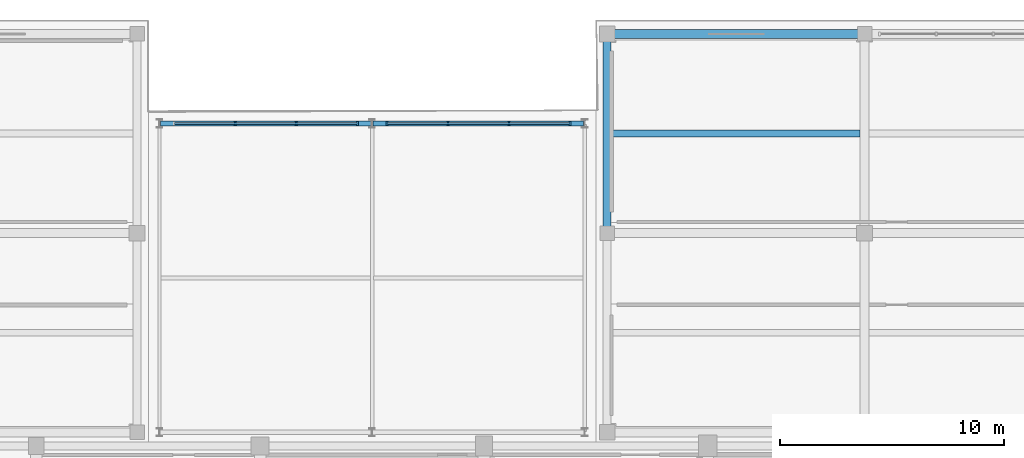
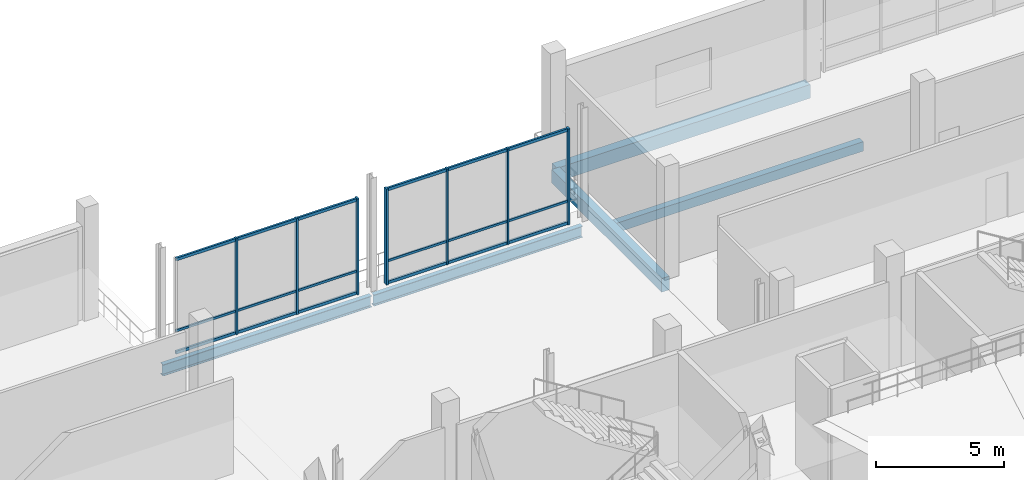
# One storey, part 54 of 127: 13 members, 5 beams, 2 elements without a shape of their own.
"""IFC4 building model written with IfcOpenShell, lengths in metres."""

import ifcopenshell
import ifcopenshell.guid

model = None  # the IFC model being written
_history = None  # IfcOwnerHistory: only IFC2X3 demands one
_inside = {}  # id of a spatial element -> (the spatial element, [elements in it])
_under = {}  # id of a project, library or spatial element -> (it, [spatial elements below it])
_declared = {}  # id of a project -> (the project, [libraries it declares])
_typed = {}  # id of a type object -> (the type object, [elements of that type])
_made_of = {}  # id of a material, layer set ... -> (it, [elements and type objects made of it])


def new_model(schema):
    """Start an empty IFC model of exactly this schema.

    Asked for "IFC4X3", IfcOpenShell would pick the latest addendum, in which some entities
    have other attributes; the version numbers below select the first issue.
    IFC2X3 requires an IfcOwnerHistory on every rooted entity: one is made here for all.
    """
    global model, _history
    if schema == "IFC4X3":
        model = ifcopenshell.file(schema_version=(4, 3, 0, 0))
    else:
        model = ifcopenshell.file(schema=schema)
    _inside.clear()
    _under.clear()
    _declared.clear()
    _typed.clear()
    _made_of.clear()
    _history = None
    if model.schema == "IFC2X3":
        org = make("IfcOrganization", Name="unknown")
        user = make(
            "IfcPersonAndOrganization",
            ThePerson=make("IfcPerson", FamilyName="unknown"),
            TheOrganization=org,
        )
        app = make(
            "IfcApplication",
            ApplicationDeveloper=org,
            Version="unknown",
            ApplicationFullName="unknown",
            ApplicationIdentifier="unknown",
        )
        _history = make(
            "IfcOwnerHistory",
            OwningUser=user,
            OwningApplication=app,
            ChangeAction="ADDED",
            CreationDate=0,
        )
    return model


def make(cls, **values):
    """One entity of the class cls with the attributes given. An attribute that is None is left unset."""
    return model.create_entity(
        cls, **{name: value for name, value in values.items() if value is not None}
    )


def rooted(cls, **values):
    """An entity with a GlobalId (a new one), such as an element, a storey or a relation."""
    return make(cls, GlobalId=ifcopenshell.guid.new(), OwnerHistory=_history, **values)


def si_unit(unit_type, name, prefix=None):
    """IfcSIUnit, for example si_unit("LENGTHUNIT", "METRE", prefix="MILLI")."""
    return make("IfcSIUnit", UnitType=unit_type, Prefix=prefix, Name=name)


def assignment(units):
    """IfcUnitAssignment: the units of a project."""
    return None if units is None else make("IfcUnitAssignment", Units=units)


def point(xyz):
    """IfcCartesianPoint."""
    return None if xyz is None else make("IfcCartesianPoint", Coordinates=xyz)


def direction(xyz):
    """IfcDirection."""
    return None if xyz is None else make("IfcDirection", DirectionRatios=xyz)


def frame(location, z_axis=None, x_axis=None):
    """IfcAxis2Placement3D, a coordinate frame: its origin and axes. An axis left out is left unset."""
    return make(
        "IfcAxis2Placement3D",
        Location=point(location),
        Axis=direction(z_axis),
        RefDirection=direction(x_axis),
    )


def frame_2d(location, x_axis=None):
    """IfcAxis2Placement2D, a coordinate frame in the plane: its origin and x axis."""
    return make(
        "IfcAxis2Placement2D", Location=point(location), RefDirection=direction(x_axis)
    )


def origin():
    """The frame at (0, 0, 0) with its axes left unset."""
    return frame((0.0, 0.0, 0.0))


def origin_2d():
    """The frame at (0, 0) in the plane with its x axis left unset."""
    return frame_2d((0.0, 0.0))


def place(relative_to, where):
    """IfcLocalPlacement: puts the frame where relative to a parent placement (None: the world)."""
    return make(
        "IfcLocalPlacement", PlacementRelTo=relative_to, RelativePlacement=where
    )


def context(
    kind, dimensions, precision=None, world=None, true_north=None, identifier=None
):
    """IfcGeometricRepresentationContext, for example the 3D "Model" context."""
    return make(
        "IfcGeometricRepresentationContext",
        ContextIdentifier=identifier,
        ContextType=kind,
        CoordinateSpaceDimension=dimensions,
        Precision=precision,
        WorldCoordinateSystem=world,
        TrueNorth=true_north,
    )


def subcontext(parent, identifier, kind, view, scale=None):
    """IfcGeometricRepresentationSubContext, for example "Body" below "Model"."""
    return make(
        "IfcGeometricRepresentationSubContext",
        ContextIdentifier=identifier,
        ContextType=kind,
        ParentContext=parent,
        TargetScale=scale,
        TargetView=view,
    )


def project(units=None, contexts=None):
    """IfcProject with its units and contexts."""
    return rooted(
        "IfcProject",
        Name="project",
        RepresentationContexts=contexts,
        UnitsInContext=assignment(units),
    )


def spatial(cls, under=None, at=None, **own):
    """A site, building, storey or space (cls), placed at a placement, below another one or the project."""
    s = rooted(cls, ObjectPlacement=at, **own)
    if under is not None:
        _under.setdefault(under.id(), (under, []))[1].append(s)
    return s


def profile(cls, at=None, kind="AREA", **sizes):
    """A parametric profile (cls). Its sizes go by their IFC names, for example OverallWidth=200.0."""
    return make(cls, ProfileType=kind, Position=at, **sizes)


def rectangle(**sizes):
    """IfcRectangleProfileDef."""
    return profile("IfcRectangleProfileDef", **sizes)


def i_section(**sizes):
    """IfcIShapeProfileDef."""
    return profile("IfcIShapeProfileDef", **sizes)


def extrude(swept, where, along, depth):
    """IfcExtrudedAreaSolid: the profile swept, set in the frame where, extruded along a direction by depth."""
    return make(
        "IfcExtrudedAreaSolid",
        SweptArea=swept,
        Position=where,
        ExtrudedDirection=direction(along),
        Depth=depth,
    )


def shape(context_of_items, identifier, shape_type, items):
    """IfcShapeRepresentation: the items that make up one representation, for example the "Body"."""
    return make(
        "IfcShapeRepresentation",
        ContextOfItems=context_of_items,
        RepresentationIdentifier=identifier,
        RepresentationType=shape_type,
        Items=items,
    )


def material(Name=None, Category=None):
    """IfcMaterial."""
    return make("IfcMaterial", Name=Name, Category=Category)


def material_profile(
    of_material, cross_section, Name=None, Category=None, Priority=None
):
    """IfcMaterialProfile: a cross section and its material."""
    return make(
        "IfcMaterialProfile",
        Name=Name,
        Material=of_material,
        Profile=cross_section,
        Priority=Priority,
        Category=Category,
    )


def profile_set(profiles, Name=None, composite=None):
    """IfcMaterialProfileSet."""
    return make(
        "IfcMaterialProfileSet",
        Name=Name,
        MaterialProfiles=profiles,
        CompositeProfile=composite,
    )


def made_of(thing, what):
    """Note that an element or type object is made of a material, layer set ...; save() writes the relation."""
    if what is not None:
        _made_of.setdefault(what.id(), (what, []))[1].append(thing)
    return thing


def type_object(cls, material=None, **own):
    """A type object (cls), such as IfcWallType, which elements share."""
    return made_of(rooted(cls, **own), material)


def element(
    cls,
    number,
    at=None,
    inside=None,
    cuts=None,
    type_object=None,
    material=None,
    context=None,
    identifier="Body",
    shape_type=None,
    held_by="IfcProductDefinitionShape",
    body=None,
    shapes=None,
    **own,
):
    """One element of the class cls, such as IfcWall. Its Tag is "e" and its number.

    at: its placement. inside: the storey or other place that contains it. cuts: it is an
    opening in that element (IfcRelVoidsElement). A single representation is given by context,
    identifier, shape_type and body (its items); several are given by shapes. held_by: the class
    of the entity that holds the representations. save() writes the other relations.
    """
    e = rooted(cls, Tag="e%d" % number, ObjectPlacement=at, **own)
    if body is not None:
        shapes = [shape(context, identifier, shape_type, body)]
    if shapes is not None:
        e.Representation = make(held_by, Representations=shapes)
    if inside is not None:
        _inside.setdefault(inside.id(), (inside, []))[1].append(e)
    if cuts is not None:
        rooted(
            "IfcRelVoidsElement", RelatingBuildingElement=cuts, RelatedOpeningElement=e
        )
    if type_object is not None:
        _typed.setdefault(type_object.id(), (type_object, []))[1].append(e)
    return made_of(e, material)


def aggregate(whole, parts):
    """IfcRelAggregates: a whole, such as a stair, and the parts it consists of."""
    return rooted("IfcRelAggregates", RelatingObject=whole, RelatedObjects=parts)


def save(model, path):
    """Write the relations noted so far, then the file.

    IfcRelAggregates (storeys below a building ...), IfcRelContainedInSpatialStructure (elements
    in a storey), IfcRelDefinesByType, IfcRelAssociatesMaterial and IfcRelDeclares: one each for
    every whole, place, type object, material and project.
    """
    for whole, parts in _under.values():
        aggregate(whole, parts)
    for where, things in _inside.values():
        rooted(
            "IfcRelContainedInSpatialStructure",
            RelatedElements=things,
            RelatingStructure=where,
        )
    for kind, things in _typed.values():
        rooted("IfcRelDefinesByType", RelatedObjects=things, RelatingType=kind)
    for what, things in _made_of.values():
        rooted("IfcRelAssociatesMaterial", RelatedObjects=things, RelatingMaterial=what)
    for by, libraries in _declared.values():
        rooted("IfcRelDeclares", RelatingContext=by, RelatedDefinitions=libraries)
    model.write(path)


model = new_model("IFC4")

# Units and contexts
model_context = context("Model", 3, precision=1e-05, world=origin(), true_north=direction((0.0, 1.0)))
body_context = subcontext(model_context, "Body", "Model", "MODEL_VIEW")
ifc_project = project(units=[si_unit("LENGTHUNIT", "METRE"), si_unit("AREAUNIT", "SQUARE_METRE"), si_unit("VOLUMEUNIT", "CUBIC_METRE"), si_unit("PLANEANGLEUNIT", "RADIAN"), si_unit("MASSUNIT", "GRAM", prefix="KILO")], contexts=[model_context])

# Site, building, storey
site_placement = place(None, origin())
site = spatial("IfcSite", under=ifc_project, at=site_placement, CompositionType="ELEMENT")
building_placement = place(site_placement, origin())
building = spatial("IfcBuilding", under=site, at=building_placement, Name="Candeia Ridge Stadium", CompositionType="ELEMENT")
storey_placement = place(building_placement, frame((0.0, 0.0, 10.800048828125)))
storey = spatial("IfcBuildingStorey", under=building, at=storey_placement, Name="L02", CompositionType="ELEMENT", Elevation=10.800048828125)

# Curtain wall, member
ifc_material_1 = material(Name="Aluminium Anodized Warm Bronze", Category="aluminium")
curtain_wall_type = type_object("IfcCurtainWallType", Name="Cardinal Entrance Gate Tall Glazed Curtain Wall", PredefinedType="NOTDEFINED", material=ifc_material_1)
curtain_wall_1_placement = place(storey_placement, origin())
curtain_wall_1 = element("IfcCurtainWall", 1, at=curtain_wall_1_placement, inside=storey, type_object=curtain_wall_type, Name="Unitised curtain wall CW-WNG-L02-155", PredefinedType="NOTDEFINED")
ifc_material_profile_1 = material_profile(ifc_material_1, rectangle(XDim=0.090087890625, YDim=0.179931640625, at=origin_2d()), Name="CWM-90x180", Category="aluminium")
ifc_profile_set_1 = profile_set([ifc_material_profile_1], Name="Aluminium Anodized Warm Bronze")
member_type_1 = type_object("IfcMemberType", Name="Curtain Wall Primary Mullion 90x180", PredefinedType="MULLION", material=ifc_profile_set_1)
member_1_placement = place(storey_placement, frame((105.340087890625, 161.39990234375, 0.0), z_axis=(0.0, 0.0, 1.0), x_axis=(1.0, 0.0, 0.0)))
member_1 = element("IfcMember", 2, at=member_1_placement, type_object=member_type_1, Name="Curtain wall mullion CW-WNG-L02-155-M3", PredefinedType="MULLION", context=body_context, shape_type="SweptSolid", body=[
    extrude(rectangle(XDim=0.090087890625, YDim=0.179931640625, at=origin_2d()), origin(), (0.0, 0.0, 1.0), 4.572021484375),
])

# Curtain wall, members
curtain_wall_2_placement = place(storey_placement, origin())
curtain_wall_2 = element("IfcCurtainWall", 3, at=curtain_wall_2_placement, inside=storey, type_object=curtain_wall_type, Name="Unitised curtain wall CW-WNG-L02-156", PredefinedType="NOTDEFINED")
member_2_placement = place(storey_placement, frame((106.659912109375, 161.39990234375, 0.0), z_axis=(0.0, 0.0, 1.0), x_axis=(1.0, 0.0, 0.0)))
member_2 = element("IfcMember", 4, at=member_2_placement, type_object=member_type_1, Name="Curtain wall mullion CW-WNG-L02-156-M0", PredefinedType="MULLION", context=body_context, shape_type="SweptSolid", body=[
    extrude(rectangle(XDim=0.090087890625, YDim=0.179931640625, at=origin_2d()), origin(), (0.0, 0.0, 1.0), 4.572021484375),
])
member_3_placement = place(storey_placement, frame((114.840087890625, 161.39990234375, 0.0), z_axis=(0.0, 0.0, 1.0), x_axis=(1.0, 0.0, 0.0)))
member_3 = element("IfcMember", 5, at=member_3_placement, type_object=member_type_1, Name="Curtain wall mullion CW-WNG-L02-156-M3", PredefinedType="MULLION", context=body_context, shape_type="SweptSolid", body=[
    extrude(rectangle(XDim=0.090087890625, YDim=0.179931640625, at=origin_2d()), origin(), (0.0, 0.0, 1.0), 4.572021484375),
])

# Member
ifc_material_profile_2 = material_profile(ifc_material_1, rectangle(XDim=0.074951171875, YDim=0.14990234375, at=origin_2d()), Name="CWM-75x150", Category="aluminium")
ifc_profile_set_2 = profile_set([ifc_material_profile_2], Name="Aluminium Anodized Warm Bronze")
member_type_2 = type_object("IfcMemberType", Name="Curtain Wall Secondary Mullion 75x150", PredefinedType="MULLION", material=ifc_profile_set_2)
member_4_placement = place(storey_placement, frame((99.88671875, 161.39990234375, 0.0), z_axis=(0.0, 0.0, 1.0), x_axis=(1.0, 0.0, 0.0)))
member_4 = element("IfcMember", 6, at=member_4_placement, type_object=member_type_2, Name="Curtain wall mullion CW-WNG-L02-155-M1", PredefinedType="MULLION", context=body_context, shape_type="SweptSolid", body=[
    extrude(rectangle(XDim=0.074951171875, YDim=0.14990234375, at=origin_2d()), origin(), (0.0, 0.0, 1.0), 4.572021484375),
])

member_5_placement = place(storey_placement, frame((102.61328125, 161.39990234375, 0.0), z_axis=(0.0, 0.0, 1.0), x_axis=(1.0, 0.0, 0.0)))
member_5 = element("IfcMember", 7, at=member_5_placement, type_object=member_type_2, Name="Curtain wall mullion CW-WNG-L02-155-M2", PredefinedType="MULLION", context=body_context, shape_type="SweptSolid", body=[
    extrude(rectangle(XDim=0.074951171875, YDim=0.14990234375, at=origin_2d()), origin(), (0.0, 0.0, 1.0), 4.572021484375),
])

member_6_placement = place(storey_placement, frame((109.38671875, 161.39990234375, 0.0), z_axis=(0.0, 0.0, 1.0), x_axis=(1.0, 0.0, 0.0)))
member_6 = element("IfcMember", 8, at=member_6_placement, type_object=member_type_2, Name="Curtain wall mullion CW-WNG-L02-156-M1", PredefinedType="MULLION", context=body_context, shape_type="SweptSolid", body=[
    extrude(rectangle(XDim=0.074951171875, YDim=0.14990234375, at=origin_2d()), origin(), (0.0, 0.0, 1.0), 4.572021484375),
])

member_7_placement = place(storey_placement, frame((112.11328125, 161.39990234375, 0.0), z_axis=(0.0, 0.0, 1.0), x_axis=(1.0, 0.0, 0.0)))
member_7 = element("IfcMember", 9, at=member_7_placement, type_object=member_type_2, Name="Curtain wall mullion CW-WNG-L02-156-M2", PredefinedType="MULLION", context=body_context, shape_type="SweptSolid", body=[
    extrude(rectangle(XDim=0.074951171875, YDim=0.14990234375, at=origin_2d()), origin(), (0.0, 0.0, 1.0), 4.572021484375),
])

ifc_material_profile_3 = material_profile(ifc_material_1, rectangle(XDim=0.074951171875, YDim=0.110107421875, at=origin_2d()), Name="CWT-75x110", Category="aluminium")
ifc_profile_set_3 = profile_set([ifc_material_profile_3], Name="Aluminium Anodized Warm Bronze")
member_type_3 = type_object("IfcMemberType", Name="Curtain Wall Secondary Transom 75x110", PredefinedType="USERDEFINED", material=ifc_profile_set_3)
member_8_placement = place(storey_placement, frame((97.159912109375, 161.39990234375, 1.099853515625), z_axis=(1.0, 0.0, 0.0), x_axis=(0.0, 1.0, 0.0)))
member_8 = element("IfcMember", 10, at=member_8_placement, type_object=member_type_3, Name="Curtain wall transom CW-WNG-L02-155-T1", ObjectType="TRANSOM", PredefinedType="USERDEFINED", context=body_context, shape_type="SweptSolid", body=[
    extrude(rectangle(XDim=0.074951171875, YDim=0.110107421875, at=origin_2d()), origin(), (0.0, 0.0, 1.0), 8.18017578125),
])

member_9_placement = place(storey_placement, frame((106.659912109375, 161.39990234375, 1.099853515625), z_axis=(1.0, 0.0, 0.0), x_axis=(0.0, 1.0, 0.0)))
member_9 = element("IfcMember", 11, at=member_9_placement, type_object=member_type_3, Name="Curtain wall transom CW-WNG-L02-156-T1", ObjectType="TRANSOM", PredefinedType="USERDEFINED", context=body_context, shape_type="SweptSolid", body=[
    extrude(rectangle(XDim=0.074951171875, YDim=0.110107421875, at=origin_2d()), origin(), (0.0, 0.0, 1.0), 8.18017578125),
])

ifc_material_profile_4 = material_profile(ifc_material_1, rectangle(XDim=0.090087890625, YDim=0.139892578125, at=origin_2d()), Name="CWT-90x140", Category="aluminium")
ifc_profile_set_4 = profile_set([ifc_material_profile_4], Name="Aluminium Anodized Warm Bronze")
member_type_4 = type_object("IfcMemberType", Name="Curtain Wall Transom 90x140", PredefinedType="USERDEFINED", material=ifc_profile_set_4)
member_10_placement = place(storey_placement, frame((97.159912109375, 161.39990234375, 0.070068359375), z_axis=(1.0, 0.0, 0.0), x_axis=(0.0, 1.0, 0.0)))
member_10 = element("IfcMember", 12, at=member_10_placement, type_object=member_type_4, Name="Curtain wall transom CW-WNG-L02-155-T0", ObjectType="TRANSOM", PredefinedType="USERDEFINED", context=body_context, shape_type="SweptSolid", body=[
    extrude(rectangle(XDim=0.090087890625, YDim=0.139892578125, at=origin_2d()), origin(), (0.0, 0.0, 1.0), 8.18017578125),
])

member_11_placement = place(storey_placement, frame((97.159912109375, 161.39990234375, 4.501953125), z_axis=(1.0, 0.0, 0.0), x_axis=(0.0, 1.0, 0.0)))
member_11 = element("IfcMember", 13, at=member_11_placement, type_object=member_type_4, Name="Curtain wall transom CW-WNG-L02-155-T2", ObjectType="TRANSOM", PredefinedType="USERDEFINED", context=body_context, shape_type="SweptSolid", body=[
    extrude(rectangle(XDim=0.090087890625, YDim=0.139892578125, at=origin_2d()), origin(), (0.0, 0.0, 1.0), 8.18017578125),
])

aggregate(curtain_wall_1, [member_4, member_5, member_1, member_10, member_8, member_11])

member_12_placement = place(storey_placement, frame((106.659912109375, 161.39990234375, 0.070068359375), z_axis=(1.0, 0.0, 0.0), x_axis=(0.0, 1.0, 0.0)))
member_12 = element("IfcMember", 14, at=member_12_placement, type_object=member_type_4, Name="Curtain wall transom CW-WNG-L02-156-T0", ObjectType="TRANSOM", PredefinedType="USERDEFINED", context=body_context, shape_type="SweptSolid", body=[
    extrude(rectangle(XDim=0.090087890625, YDim=0.139892578125, at=origin_2d()), origin(), (0.0, 0.0, 1.0), 8.18017578125),
])

member_13_placement = place(storey_placement, frame((106.659912109375, 161.39990234375, 4.501953125), z_axis=(1.0, 0.0, 0.0), x_axis=(0.0, 1.0, 0.0)))
member_13 = element("IfcMember", 15, at=member_13_placement, type_object=member_type_4, Name="Curtain wall transom CW-WNG-L02-156-T2", ObjectType="TRANSOM", PredefinedType="USERDEFINED", context=body_context, shape_type="SweptSolid", body=[
    extrude(rectangle(XDim=0.090087890625, YDim=0.139892578125, at=origin_2d()), origin(), (0.0, 0.0, 1.0), 8.18017578125),
])

aggregate(curtain_wall_2, [member_2, member_6, member_7, member_3, member_12, member_9, member_13])

# Beams
ifc_material_2 = material(Name="Concrete C40/50", Category="concrete")
ifc_material_profile_5 = material_profile(ifc_material_2, rectangle(XDim=0.300048828125, YDim=0.449951171875, at=origin_2d()), Name="RC300x450", Category="concrete")
ifc_profile_set_5 = profile_set([ifc_material_profile_5], Name="Concrete C40/50")
beam_type_1 = type_object("IfcBeamType", Name="Floor Joist RC300x450", PredefinedType="JOIST", material=ifc_profile_set_5)
beam_1_placement = place(storey_placement, frame((116.674560546875, 160.949951171875, -0.485107421875), z_axis=(1.0, 0.0, 0.0), x_axis=(0.0, 1.0, 0.0)))
element("IfcBeam", 16, at=beam_1_placement, inside=storey, type_object=beam_type_1, Name="Wing secondary joist BM-L02-1749", PredefinedType="JOIST", context=body_context, shape_type="SweptSolid", body=[
    extrude(rectangle(XDim=0.300048828125, YDim=0.449951171875, at=origin_2d()), origin(), (0.0, 0.0, 1.0), 11.1259765625),
])
ifc_material_3 = material(Name="Steel ASTM A572 Grade 50", Category="steel")
ifc_material_profile_6 = material_profile(ifc_material_3, i_section(OverallWidth=0.208984375, OverallDepth=0.532958984375, WebThickness=0.01025390625, FlangeThickness=0.015625, FilletRadius=0.013916015625, at=origin_2d()), Name="W530x92", Category="steel")
ifc_profile_set_6 = profile_set([ifc_material_profile_6], Name="Steel ASTM A572 Grade 50")
beam_type_2 = type_object("IfcBeamType", Name="Gate Portal Girder W530x92", PredefinedType="BEAM", material=ifc_profile_set_6)
for number, where, z_axis, x_axis, name in (
    (17, (96.550048828125, 161.39990234375, -0.526611328125), (1.0, 0.0, 0.0), (0.0, 1.0, 0.0), "Structural girder BM-L02-2210"),
    (18, (106.050048828125, 161.39990234375, -0.526611328125), (1.0, 0.0, 0.0), (0.0, 1.0, 0.0), "Structural girder BM-L02-2213"),
):
    element("IfcBeam", number, at=place(storey_placement, frame(where, z_axis=z_axis, x_axis=x_axis)), inside=storey, type_object=beam_type_2, Name=name, PredefinedType="BEAM", context=body_context, shape_type="SweptSolid", body=[
        extrude(i_section(OverallWidth=0.208984375, OverallDepth=0.532958984375, WebThickness=0.01025390625, FlangeThickness=0.015625, FilletRadius=0.013916015625, at=origin_2d()), origin(), (0.0, 0.0, 1.0), 9.39990234375),
    ])
ifc_material_profile_7 = material_profile(ifc_material_2, rectangle(XDim=0.35009765625, YDim=0.64990234375, at=origin_2d()), Name="RC350x650", Category="concrete")
ifc_profile_set_7 = profile_set([ifc_material_profile_7], Name="Concrete C40/50")
beam_type_3 = type_object("IfcBeamType", Name="Spandrel Beam RC350x650", PredefinedType="SPANDREL", material=ifc_profile_set_7)
beam_2_placement = place(storey_placement, frame((116.5, 156.659912109375, -0.5849609375), z_axis=(0.0, 1.0, 0.0), x_axis=(-1.0, 0.0, 0.0)))
element("IfcBeam", 19, at=beam_2_placement, inside=storey, type_object=beam_type_3, Name="Structural girder BM-L02-1733", PredefinedType="SPANDREL", context=body_context, shape_type="SweptSolid", body=[
    extrude(rectangle(XDim=0.35009765625, YDim=0.64990234375, at=origin_2d()), origin(), (0.0, 0.0, 1.0), 8.580078125),
])
ifc_material_profile_8 = material_profile(ifc_material_2, rectangle(XDim=0.39990234375, YDim=0.64990234375, at=origin_2d()), Name="RC400x650", Category="concrete")
ifc_profile_set_8 = profile_set([ifc_material_profile_8], Name="Concrete C40/50")
beam_type_4 = type_object("IfcBeamType", Name="Wing Primary Girder RC400x650", PredefinedType="BEAM", material=ifc_profile_set_8)
beam_3_placement = place(storey_placement, frame((116.550048828125, 165.39990234375, -0.5849609375), z_axis=(1.0, 0.0, 0.0), x_axis=(0.0, 1.0, 0.0)))
element("IfcBeam", 20, at=beam_3_placement, inside=storey, type_object=beam_type_4, Name="Structural girder BM-L02-1750", PredefinedType="BEAM", context=body_context, shape_type="SweptSolid", body=[
    extrude(rectangle(XDim=0.39990234375, YDim=0.64990234375, at=origin_2d()), origin(), (0.0, 0.0, 1.0), 11.39990234375),
])

save(model, "model.ifc")
